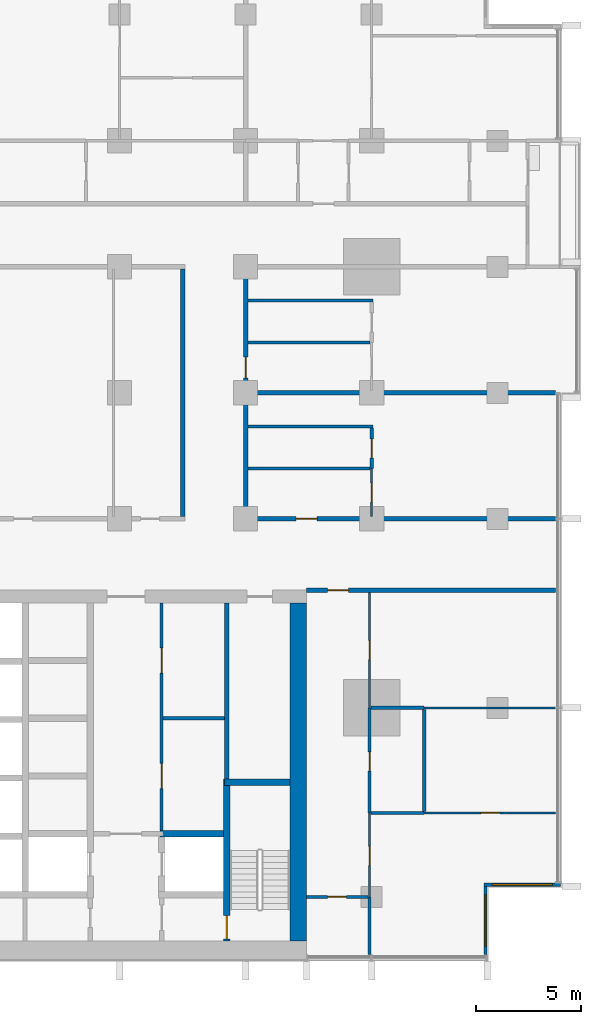
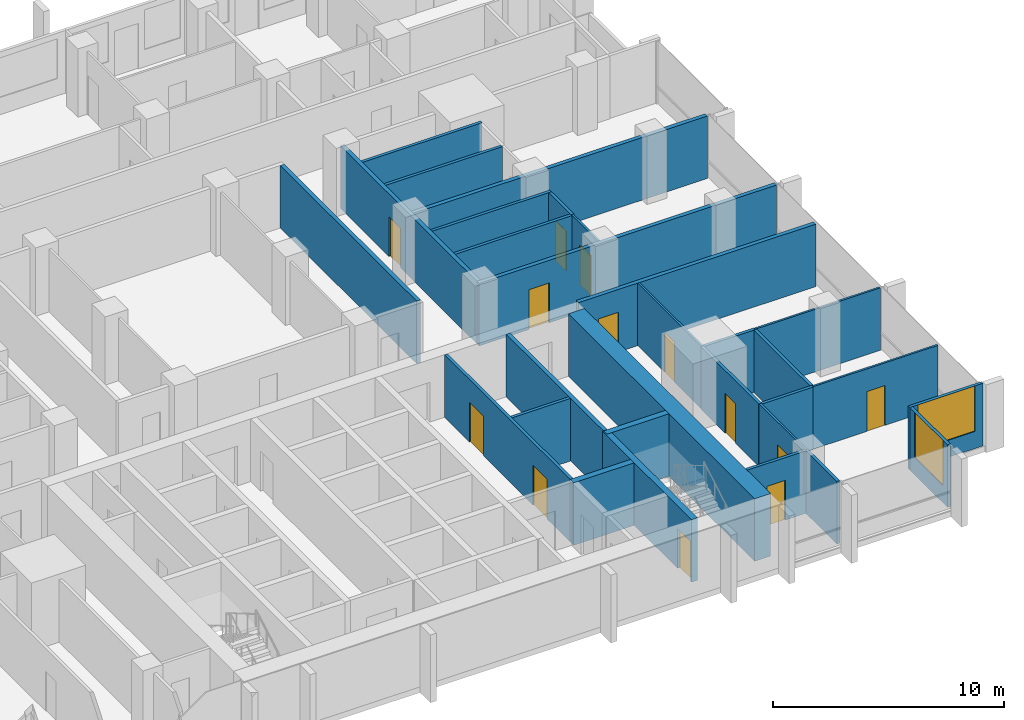
# One storey, part 9 of 17: 30 walls, 13 doors, 2 windows, 15 openings.
"""IFC4 building model written with IfcOpenShell, lengths in metres."""

from ifc_helpers import new_model, si_unit, direction, frame, frame_2d, origin, place, context, subcontext, project, spatial, rectangle, extrude, material, layer, layer_set, type_object, element, fill, save


model = new_model("IFC4")

# Units and contexts
model_context = context("Model", 3, precision=1e-05, world=origin(), true_north=direction((0.0, 1.0)))
body_context = subcontext(model_context, "Body", "Model", "MODEL_VIEW")
ifc_project = project(units=[si_unit("LENGTHUNIT", "METRE"), si_unit("AREAUNIT", "SQUARE_METRE"), si_unit("VOLUMEUNIT", "CUBIC_METRE"), si_unit("PLANEANGLEUNIT", "RADIAN"), si_unit("MASSUNIT", "GRAM", prefix="KILO")], contexts=[model_context])

# Site, building, storey
site_placement = place(None, origin())
site = spatial("IfcSite", under=ifc_project, at=site_placement, CompositionType="ELEMENT")
building_placement = place(site_placement, origin())
building = spatial("IfcBuilding", under=site, at=building_placement, Name="Finial Court Residences", CompositionType="ELEMENT")
storey_placement = place(building_placement, frame((0.0, 0.0, 124.300048828125)))
storey = spatial("IfcBuildingStorey", under=building, at=storey_placement, Name="L31", CompositionType="ELEMENT", Elevation=124.300048828125)

# Walls
ifc_material_1 = material(Name="Gypsum board")
ifc_layer_1 = layer(ifc_material_1, 0.02490234375)
ifc_material_2 = material(Name="Acoustic mineral wool in double frame")
ifc_layer_2 = layer(ifc_material_2, 0.14990234375)
ifc_layer_3 = layer(ifc_material_1, 0.02490234375)
ifc_layer_set_1 = layer_set([ifc_layer_1, ifc_layer_2, ifc_layer_3], Name="Acoustic party wall 200, 1 hour")
wall_type_1 = type_object("IfcWallType", Name="Acoustic party wall 200, 1 hour", PredefinedType="PARTITIONING", material=ifc_layer_set_1)
wall_1_placement = place(storey_placement, frame((10.60009765625, 1.5, 0.0), z_axis=(0.0, 0.0, 1.0), x_axis=(1.0, 0.0, 0.0)))
element("IfcWall", 1, at=wall_1_placement, inside=storey, type_object=wall_type_1, Name="Partition L31-018", PredefinedType="PARTITIONING", context=body_context, shape_type="SweptSolid", body=[
    extrude(rectangle(XDim=14.64990234375, YDim=0.199951171875, at=frame_2d((7.324951171875, 0.0))), origin(), (0.0, 0.0, 1.0), 3.300048828125),
])
ifc_material_3 = material(Name="Concrete C70/85", Category="concrete")
ifc_layer_4 = layer(ifc_material_3, 0.800048828125)
ifc_layer_set_2 = layer_set([ifc_layer_4], Name="Core outer wall 800 Concrete C70/85")
wall_type_2 = type_object("IfcWallType", Name="Core outer wall 800 Concrete C70/85", PredefinedType="SHEAR", material=ifc_layer_set_2)
wall_2_placement = place(storey_placement, frame((13.0, -24.60009765625, 0.0), z_axis=(0.0, 0.0, 1.0), x_axis=(0.0, 1.0, 0.0)))
element("IfcWall", 2, at=wall_2_placement, inside=storey, type_object=wall_type_2, Name="Core outer wall L31-04", PredefinedType="SHEAR", context=body_context, shape_type="SweptSolid", body=[
    extrude(rectangle(XDim=16.10009765625, YDim=0.800048828125, at=frame_2d((8.050048828125, 0.0))), origin(), (0.0, 0.0, 1.0), 3.300048828125),
])
ifc_material_4 = material(Name="Fire-rated gypsum board partition")
ifc_layer_5 = layer(ifc_material_4, 0.14990234375)
ifc_layer_set_3 = layer_set([ifc_layer_5], Name="Core room partition 150 EI 60")
wall_type_3 = type_object("IfcWallType", Name="Core room partition 150 EI 60", PredefinedType="PARTITIONING", material=ifc_layer_set_3)
wall_3_placement = place(storey_placement, frame((6.574951171875, -14.0, 0.0), z_axis=(0.0, 0.0, 1.0), x_axis=(1.0, 0.0, 0.0)))
element("IfcWall", 3, at=wall_3_placement, inside=storey, type_object=wall_type_3, Name="Core partition L31-18", PredefinedType="PARTITIONING", context=body_context, shape_type="SweptSolid", body=[
    extrude(rectangle(XDim=2.925048828125, YDim=0.14990234375, at=frame_2d((1.46240234375, 0.0))), origin(), (0.0, 0.0, 1.0), 3.300048828125),
])

# Wall, openings, doors
wall_4_placement = place(storey_placement, frame((6.5, -8.5, 0.0), z_axis=(0.0, 0.0, 1.0), x_axis=(0.0, -1.0, 0.0)))
wall_4 = element("IfcWall", 4, at=wall_4_placement, inside=storey, type_object=wall_type_3, Name="Core partition L31-36", PredefinedType="PARTITIONING", context=body_context, shape_type="SweptSolid", body=[
    extrude(rectangle(XDim=10.85009765625, YDim=0.14990234375, at=frame_2d((5.425048828125, 0.0))), origin(), (0.0, 0.0, 1.0), 3.300048828125),
])
opening_1_placement = place(wall_4_placement, frame((7.64990234375, 0.0, 0.0)))
opening_1 = element("IfcOpeningElement", 5, at=opening_1_placement, cuts=wall_4, Name="Opening L31-C12", PredefinedType="OPENING", context=body_context, shape_type="SweptSolid", body=[
    extrude(rectangle(XDim=1.199951171875, YDim=2.10009765625, at=frame_2d((0.60009765625, 1.050048828125))), frame((0.0, 0.0849609375, 0.0), z_axis=(0.0, -1.0, 0.0), x_axis=(1.0, 0.0, 0.0)), (0.0, 0.0, 1.0), 0.169921875),
])
opening_2_placement = place(wall_4_placement, frame((2.14990234375, 0.0, 0.0)))
opening_2 = element("IfcOpeningElement", 6, at=opening_2_placement, cuts=wall_4, Name="Opening L31-C13", PredefinedType="OPENING", context=body_context, shape_type="SweptSolid", body=[
    extrude(rectangle(XDim=1.199951171875, YDim=2.10009765625, at=frame_2d((0.60009765625, 1.050048828125))), frame((0.0, 0.0849609375, 0.0), z_axis=(0.0, -1.0, 0.0), x_axis=(1.0, 0.0, 0.0)), (0.0, 0.0, 1.0), 0.169921875),
])
ifc_material_5 = material(Name="Steel fire door", Category="steel")
door_type_1 = type_object("IfcDoorType", Name="Core room door 1200 x 2100 EI 60", OperationType="NOTDEFINED", PredefinedType="DOOR", material=ifc_material_5)
door_1_placement = place(opening_1_placement, origin())
door_1 = element("IfcDoor", 7, at=door_1_placement, inside=storey, type_object=door_type_1, Name="Core room door L31-C12", OperationType="SINGLE_SWING_RIGHT", OverallHeight=2.10009765625, OverallWidth=1.199951171875, PredefinedType="DOOR", context=body_context, shape_type="SweptSolid", body=[
    extrude(rectangle(XDim=1.199951171875, YDim=2.10009765625, at=frame_2d((0.60009765625, 1.050048828125))), frame((0.0, 0.02490234375, 0.0), z_axis=(0.0, -1.0, 0.0), x_axis=(1.0, 0.0, 0.0)), (0.0, 0.0, 1.0), 0.050048828125),
])
fill(opening_1, door_1)
door_2_placement = place(opening_2_placement, origin())
door_2 = element("IfcDoor", 8, at=door_2_placement, inside=storey, type_object=door_type_1, Name="Core room door L31-C13", OperationType="SINGLE_SWING_RIGHT", OverallHeight=2.10009765625, OverallWidth=1.199951171875, PredefinedType="DOOR", context=body_context, shape_type="SweptSolid", body=[
    extrude(rectangle(XDim=1.199951171875, YDim=2.10009765625, at=frame_2d((0.60009765625, 1.050048828125))), frame((0.0, 0.02490234375, 0.0), z_axis=(0.0, -1.0, 0.0), x_axis=(1.0, 0.0, 0.0)), (0.0, 0.0, 1.0), 0.050048828125),
])
fill(opening_2, door_2)

# Wall, opening, door
ifc_layer_6 = layer(ifc_material_1, 0.02490234375)
ifc_layer_7 = layer(ifc_material_2, 0.14990234375)
ifc_layer_8 = layer(ifc_material_1, 0.02490234375)
ifc_layer_set_4 = layer_set([ifc_layer_6, ifc_layer_7, ifc_layer_8], Name="Corridor wall 200, 1 hour")
wall_type_4 = type_object("IfcWallType", Name="Corridor wall 200, 1 hour", PredefinedType="PARTITIONING", material=ifc_layer_set_4)
wall_5_placement = place(storey_placement, frame((13.39990234375, -7.89990234375, 0.0), z_axis=(0.0, 0.0, 1.0), x_axis=(1.0, 0.0, 0.0)))
wall_5 = element("IfcWall", 9, at=wall_5_placement, inside=storey, type_object=wall_type_4, Name="Partition L31-009", PredefinedType="PARTITIONING", context=body_context, shape_type="SweptSolid", body=[
    extrude(rectangle(XDim=11.85009765625, YDim=0.199951171875, at=frame_2d((5.925048828125, 0.0))), origin(), (0.0, 0.0, 1.0), 3.300048828125),
])
opening_3_placement = place(wall_5_placement, frame((1.0, 0.0, 0.0)))
opening_3 = element("IfcOpeningElement", 10, at=opening_3_placement, cuts=wall_5, Name="Opening L31-D006", PredefinedType="OPENING", context=body_context, shape_type="SweptSolid", body=[
    extrude(rectangle(XDim=1.0, YDim=2.10009765625, at=frame_2d((0.5, 1.050048828125))), frame((0.0, 0.10986328125, 0.0), z_axis=(0.0, -1.0, 0.0), x_axis=(1.0, 0.0, 0.0)), (0.0, 0.0, 1.0), 0.219970703125),
])
ifc_material_6 = material(Name="Timber door leaf in hollow metal frame", Category="wood")
door_type_2 = type_object("IfcDoorType", Name="Fire door set 1000 x 2100, 30 minutes", OperationType="SINGLE_SWING_LEFT", PredefinedType="DOOR", material=ifc_material_6)
door_3_placement = place(opening_3_placement, origin())
door_3 = element("IfcDoor", 11, at=door_3_placement, inside=storey, type_object=door_type_2, Name="Door L31-D006", OperationType="SINGLE_SWING_LEFT", OverallHeight=2.10009765625, OverallWidth=1.0, PredefinedType="DOOR", context=body_context, shape_type="SweptSolid", body=[
    extrude(rectangle(XDim=1.0, YDim=2.10009765625, at=frame_2d((0.5, 1.050048828125))), frame((0.0, 0.02490234375, 0.0), z_axis=(0.0, -1.0, 0.0), x_axis=(1.0, 0.0, 0.0)), (0.0, 0.0, 1.0), 0.050048828125),
])
fill(opening_3, door_3)

wall_6_placement = place(storey_placement, frame((10.39990234375, -4.5, 0.0), z_axis=(0.0, 0.0, 1.0), x_axis=(1.0, 0.0, 0.0)))
wall_6 = element("IfcWall", 12, at=wall_6_placement, inside=storey, type_object=wall_type_4, Name="Partition L31-012", PredefinedType="PARTITIONING", context=body_context, shape_type="SweptSolid", body=[
    extrude(rectangle(XDim=14.85009765625, YDim=0.199951171875, at=frame_2d((7.425048828125, 0.0))), origin(), (0.0, 0.0, 1.0), 3.300048828125),
])
opening_4_placement = place(wall_6_placement, frame((2.5, 0.0, 0.0)))
opening_4 = element("IfcOpeningElement", 13, at=opening_4_placement, cuts=wall_6, Name="Opening L31-D011", PredefinedType="OPENING", context=body_context, shape_type="SweptSolid", body=[
    extrude(rectangle(XDim=1.0, YDim=2.10009765625, at=frame_2d((0.5, 1.050048828125))), frame((0.0, 0.10986328125, 0.0), z_axis=(0.0, -1.0, 0.0), x_axis=(1.0, 0.0, 0.0)), (0.0, 0.0, 1.0), 0.219970703125),
])
door_4_placement = place(opening_4_placement, origin())
door_4 = element("IfcDoor", 14, at=door_4_placement, inside=storey, type_object=door_type_2, Name="Door L31-D011", OperationType="SINGLE_SWING_RIGHT", OverallHeight=2.10009765625, OverallWidth=1.0, PredefinedType="DOOR", context=body_context, shape_type="SweptSolid", body=[
    extrude(rectangle(XDim=1.0, YDim=2.10009765625, at=frame_2d((0.5, 1.050048828125))), frame((0.0, 0.02490234375, 0.0), z_axis=(0.0, -1.0, 0.0), x_axis=(1.0, 0.0, 0.0)), (0.0, 0.0, 1.0), 0.050048828125),
])
fill(opening_4, door_4)

# Wall
wall_7_placement = place(storey_placement, frame((7.5, -4.39990234375, 0.0), z_axis=(0.0, 0.0, 1.0), x_axis=(0.0, 1.0, 0.0)))
element("IfcWall", 15, at=wall_7_placement, inside=storey, type_object=wall_type_4, Name="Partition L31-066", PredefinedType="PARTITIONING", context=body_context, shape_type="SweptSolid", body=[
    extrude(rectangle(XDim=11.7998046875, YDim=0.199951171875, at=frame_2d((5.89990234375, 0.0))), origin(), (0.0, 0.0, 1.0), 3.300048828125),
])

# Wall, opening, door
wall_8_placement = place(storey_placement, frame((10.5, -4.39990234375, 0.0), z_axis=(0.0, 0.0, 1.0), x_axis=(0.0, 1.0, 0.0)))
wall_8 = element("IfcWall", 16, at=wall_8_placement, inside=storey, type_object=wall_type_4, Name="Partition L31-067", PredefinedType="PARTITIONING", context=body_context, shape_type="SweptSolid", body=[
    extrude(rectangle(XDim=11.7998046875, YDim=0.199951171875, at=frame_2d((5.89990234375, 0.0))), origin(), (0.0, 0.0, 1.0), 3.300048828125),
])
opening_5_placement = place(wall_8_placement, frame((6.60009765625, 0.0, 0.0)))
opening_5 = element("IfcOpeningElement", 17, at=opening_5_placement, cuts=wall_8, Name="Opening L31-D038", PredefinedType="OPENING", context=body_context, shape_type="SweptSolid", body=[
    extrude(rectangle(XDim=1.0, YDim=2.10009765625, at=frame_2d((0.5, 1.050048828125))), frame((0.0, 0.10986328125, 0.0), z_axis=(0.0, -1.0, 0.0), x_axis=(1.0, 0.0, 0.0)), (0.0, 0.0, 1.0), 0.219970703125),
])
door_5_placement = place(opening_5_placement, origin())
door_5 = element("IfcDoor", 18, at=door_5_placement, inside=storey, type_object=door_type_2, Name="Door L31-D038", OperationType="SINGLE_SWING_RIGHT", OverallHeight=2.10009765625, OverallWidth=1.0, PredefinedType="DOOR", context=body_context, shape_type="SweptSolid", body=[
    extrude(rectangle(XDim=1.0, YDim=2.10009765625, at=frame_2d((0.5, 1.050048828125))), frame((0.0, 0.02490234375, 0.0), z_axis=(0.0, -1.0, 0.0), x_axis=(1.0, 0.0, 0.0)), (0.0, 0.0, 1.0), 0.050048828125),
])
fill(opening_5, door_5)

ifc_layer_9 = layer(ifc_material_1, 0.012451171875)
ifc_material_7 = material(Name="Mineral wool in light-gauge frame")
ifc_layer_10 = layer(ifc_material_7, 0.074951171875)
ifc_layer_11 = layer(ifc_material_1, 0.012451171875)
ifc_layer_set_5 = layer_set([ifc_layer_9, ifc_layer_10, ifc_layer_11], Name="Gypsum board partition 100")
wall_type_5 = type_object("IfcWallType", Name="Gypsum board partition 100", PredefinedType="PARTITIONING", material=ifc_layer_set_5)
wall_9_placement = place(storey_placement, frame((19.0, -18.5, 0.0), z_axis=(0.0, 0.0, 1.0), x_axis=(1.0, 0.0, 0.0)))
wall_9 = element("IfcWall", 19, at=wall_9_placement, inside=storey, type_object=wall_type_5, Name="Partition L31-002", PredefinedType="PARTITIONING", context=body_context, shape_type="SweptSolid", body=[
    extrude(rectangle(XDim=6.25, YDim=0.10009765625, at=frame_2d((3.125, 0.0))), origin(), (0.0, 0.0, 1.0), 3.300048828125),
])
opening_6_placement = place(wall_9_placement, frame((2.699951171875, 0.0, 0.0)))
opening_6 = element("IfcOpeningElement", 20, at=opening_6_placement, cuts=wall_9, Name="Opening L31-D003", PredefinedType="OPENING", context=body_context, shape_type="SweptSolid", body=[
    extrude(rectangle(XDim=0.89990234375, YDim=2.10009765625, at=frame_2d((0.449951171875, 1.050048828125))), frame((0.0, 0.06005859375, 0.0), z_axis=(0.0, -1.0, 0.0), x_axis=(1.0, 0.0, 0.0)), (0.0, 0.0, 1.0), 0.1201171875),
])
ifc_material_8 = material(Name="Timber door leaf in timber frame", Category="wood")
door_type_3 = type_object("IfcDoorType", Name="Door set 900 x 2100", OperationType="SINGLE_SWING_LEFT", PredefinedType="DOOR", material=ifc_material_8)
door_6_placement = place(opening_6_placement, origin())
door_6 = element("IfcDoor", 21, at=door_6_placement, inside=storey, type_object=door_type_3, Name="Door L31-D003", OperationType="SINGLE_SWING_RIGHT", OverallHeight=2.10009765625, OverallWidth=0.89990234375, PredefinedType="DOOR", context=body_context, shape_type="SweptSolid", body=[
    extrude(rectangle(XDim=0.89990234375, YDim=2.10009765625, at=frame_2d((0.449951171875, 1.050048828125))), frame((0.0, 0.02490234375, 0.0), z_axis=(0.0, -1.0, 0.0), x_axis=(1.0, 0.0, 0.0)), (0.0, 0.0, 1.0), 0.050048828125),
])
fill(opening_6, door_6)

# Wall
wall_10_placement = place(storey_placement, frame((19.0, -13.5, 0.0), z_axis=(0.0, 0.0, 1.0), x_axis=(1.0, 0.0, 0.0)))
element("IfcWall", 22, at=wall_10_placement, inside=storey, type_object=wall_type_5, Name="Partition L31-005", PredefinedType="PARTITIONING", context=body_context, shape_type="SweptSolid", body=[
    extrude(rectangle(XDim=6.25, YDim=0.10009765625, at=frame_2d((3.125, 0.0))), origin(), (0.0, 0.0, 1.0), 3.300048828125),
])

# Wall, opening, door
wall_11_placement = place(storey_placement, frame((16.39990234375, -22.5, 0.0), z_axis=(0.0, 0.0, 1.0), x_axis=(0.0, 1.0, 0.0)))
wall_11 = element("IfcWall", 23, at=wall_11_placement, inside=storey, type_object=wall_type_5, Name="Partition L31-072", PredefinedType="PARTITIONING", context=body_context, shape_type="SweptSolid", body=[
    extrude(rectangle(XDim=4.0, YDim=0.10009765625, at=frame_2d((2.0, 0.0))), origin(), (0.0, 0.0, 1.0), 3.300048828125),
])
opening_7_placement = place(wall_11_placement, frame((1.5, 0.0, 0.0)))
opening_7 = element("IfcOpeningElement", 24, at=opening_7_placement, cuts=wall_11, Name="Opening L31-D041", PredefinedType="OPENING", context=body_context, shape_type="SweptSolid", body=[
    extrude(rectangle(XDim=0.89990234375, YDim=2.10009765625, at=frame_2d((0.449951171875, 1.050048828125))), frame((0.0, 0.06005859375, 0.0), z_axis=(0.0, -1.0, 0.0), x_axis=(1.0, 0.0, 0.0)), (0.0, 0.0, 1.0), 0.1201171875),
])
door_7_placement = place(opening_7_placement, origin())
door_7 = element("IfcDoor", 25, at=door_7_placement, inside=storey, type_object=door_type_3, Name="Door L31-D041", OperationType="SINGLE_SWING_LEFT", OverallHeight=2.10009765625, OverallWidth=0.89990234375, PredefinedType="DOOR", context=body_context, shape_type="SweptSolid", body=[
    extrude(rectangle(XDim=0.89990234375, YDim=2.10009765625, at=frame_2d((0.449951171875, 1.050048828125))), frame((0.0, 0.02490234375, 0.0), z_axis=(0.0, -1.0, 0.0), x_axis=(1.0, 0.0, 0.0)), (0.0, 0.0, 1.0), 0.050048828125),
])
fill(opening_7, door_7)

wall_12_placement = place(storey_placement, frame((16.39990234375, -13.5, 0.0), z_axis=(0.0, 0.0, 1.0), x_axis=(0.0, 1.0, 0.0)))
wall_12 = element("IfcWall", 26, at=wall_12_placement, inside=storey, type_object=wall_type_5, Name="Partition L31-073", PredefinedType="PARTITIONING", context=body_context, shape_type="SweptSolid", body=[
    extrude(rectangle(XDim=5.5, YDim=0.10009765625, at=frame_2d((2.75, 0.0))), origin(), (0.0, 0.0, 1.0), 3.300048828125),
])
opening_8_placement = place(wall_12_placement, frame((2.300048828125, 0.0, 0.0)))
opening_8 = element("IfcOpeningElement", 27, at=opening_8_placement, cuts=wall_12, Name="Opening L31-D042", PredefinedType="OPENING", context=body_context, shape_type="SweptSolid", body=[
    extrude(rectangle(XDim=0.89990234375, YDim=2.10009765625, at=frame_2d((0.449951171875, 1.050048828125))), frame((0.0, 0.06005859375, 0.0), z_axis=(0.0, -1.0, 0.0), x_axis=(1.0, 0.0, 0.0)), (0.0, 0.0, 1.0), 0.1201171875),
])
door_8_placement = place(opening_8_placement, origin())
door_8 = element("IfcDoor", 28, at=door_8_placement, inside=storey, type_object=door_type_3, Name="Door L31-D042", OperationType="SINGLE_SWING_RIGHT", OverallHeight=2.10009765625, OverallWidth=0.89990234375, PredefinedType="DOOR", context=body_context, shape_type="SweptSolid", body=[
    extrude(rectangle(XDim=0.89990234375, YDim=2.10009765625, at=frame_2d((0.449951171875, 1.050048828125))), frame((0.0, 0.02490234375, 0.0), z_axis=(0.0, -1.0, 0.0), x_axis=(1.0, 0.0, 0.0)), (0.0, 0.0, 1.0), 0.050048828125),
])
fill(opening_8, door_8)

wall_13_placement = place(storey_placement, frame((16.5, -4.39990234375, 0.0), z_axis=(0.0, 0.0, 1.0), x_axis=(0.0, 1.0, 0.0)))
wall_13 = element("IfcWall", 29, at=wall_13_placement, inside=storey, type_object=wall_type_5, Name="Partition L31-076", PredefinedType="PARTITIONING", context=body_context, shape_type="SweptSolid", body=[
    extrude(rectangle(XDim=2.2998046875, YDim=0.10009765625, at=frame_2d((1.14990234375, 0.0))), origin(), (0.0, 0.0, 1.0), 3.300048828125),
])
opening_9_placement = place(wall_13_placement, frame((0.699951171875, 0.0, 0.0)))
opening_9 = element("IfcOpeningElement", 30, at=opening_9_placement, cuts=wall_13, Name="Opening L31-D044", PredefinedType="OPENING", context=body_context, shape_type="SweptSolid", body=[
    extrude(rectangle(XDim=0.89990234375, YDim=2.10009765625, at=frame_2d((0.449951171875, 1.050048828125))), frame((0.0, 0.06005859375, 0.0), z_axis=(0.0, -1.0, 0.0), x_axis=(1.0, 0.0, 0.0)), (0.0, 0.0, 1.0), 0.1201171875),
])
door_9_placement = place(opening_9_placement, origin())
door_9 = element("IfcDoor", 31, at=door_9_placement, inside=storey, type_object=door_type_3, Name="Door L31-D044", OperationType="SINGLE_SWING_LEFT", OverallHeight=2.10009765625, OverallWidth=0.89990234375, PredefinedType="DOOR", context=body_context, shape_type="SweptSolid", body=[
    extrude(rectangle(XDim=0.89990234375, YDim=2.10009765625, at=frame_2d((0.449951171875, 1.050048828125))), frame((0.0, 0.02490234375, 0.0), z_axis=(0.0, -1.0, 0.0), x_axis=(1.0, 0.0, 0.0)), (0.0, 0.0, 1.0), 0.050048828125),
])
fill(opening_9, door_9)

ifc_material_9 = material(Name="Moisture-resistant gypsum board")
ifc_layer_12 = layer(ifc_material_9, 0.012451171875)
ifc_layer_13 = layer(ifc_material_7, 0.125)
ifc_layer_14 = layer(ifc_material_9, 0.012451171875)
ifc_layer_set_6 = layer_set([ifc_layer_12, ifc_layer_13, ifc_layer_14], Name="Gypsum board wet-area partition 150")
wall_type_6 = type_object("IfcWallType", Name="Gypsum board wet-area partition 150", PredefinedType="PARTITIONING", material=ifc_layer_set_6)
wall_14_placement = place(storey_placement, frame((13.39990234375, -22.5, 0.0), z_axis=(0.0, 0.0, 1.0), x_axis=(1.0, 0.0, 0.0)))
wall_14 = element("IfcWall", 32, at=wall_14_placement, inside=storey, type_object=wall_type_6, Name="Partition L31-001", PredefinedType="PARTITIONING", context=body_context, shape_type="SweptSolid", body=[
    extrude(rectangle(XDim=2.925048828125, YDim=0.14990234375, at=frame_2d((1.46240234375, 0.0))), origin(), (0.0, 0.0, 1.0), 3.300048828125),
])
opening_10_placement = place(wall_14_placement, frame((1.0, 0.0, 0.0)))
opening_10 = element("IfcOpeningElement", 33, at=opening_10_placement, cuts=wall_14, Name="Opening L31-D002", PredefinedType="OPENING", context=body_context, shape_type="SweptSolid", body=[
    extrude(rectangle(XDim=0.89990234375, YDim=2.10009765625, at=frame_2d((0.449951171875, 1.050048828125))), frame((0.0, 0.0849609375, 0.0), z_axis=(0.0, -1.0, 0.0), x_axis=(1.0, 0.0, 0.0)), (0.0, 0.0, 1.0), 0.169921875),
])
door_10_placement = place(opening_10_placement, origin())
door_10 = element("IfcDoor", 34, at=door_10_placement, inside=storey, type_object=door_type_3, Name="Door L31-D002", OperationType="SINGLE_SWING_RIGHT", OverallHeight=2.10009765625, OverallWidth=0.89990234375, PredefinedType="DOOR", context=body_context, shape_type="SweptSolid", body=[
    extrude(rectangle(XDim=0.89990234375, YDim=2.10009765625, at=frame_2d((0.449951171875, 1.050048828125))), frame((0.0, 0.02490234375, 0.0), z_axis=(0.0, -1.0, 0.0), x_axis=(1.0, 0.0, 0.0)), (0.0, 0.0, 1.0), 0.050048828125),
])
fill(opening_10, door_10)

# Walls
for number, where, z_axis, x_axis, name in (
    (35, (16.47509765625, -18.5, 0.0), (0.0, 0.0, 1.0), (1.0, 0.0, 0.0), "Partition L31-003"),
    (36, (16.47509765625, -13.5, 0.0), (0.0, 0.0, 1.0), (1.0, 0.0, 0.0), "Partition L31-007"),
):
    element("IfcWall", number, at=place(storey_placement, frame(where, z_axis=z_axis, x_axis=x_axis)), inside=storey, type_object=wall_type_6, Name=name, PredefinedType="PARTITIONING", context=body_context, shape_type="SweptSolid", body=[
        extrude(rectangle(XDim=2.52490234375, YDim=0.14990234375, at=frame_2d((1.262451171875, 0.0))), origin(), (0.0, 0.0, 1.0), 3.300048828125),
    ])
wall_15_placement = place(storey_placement, frame((10.60009765625, -2.10009765625, 0.0), z_axis=(0.0, 0.0, 1.0), x_axis=(1.0, 0.0, 0.0)))
element("IfcWall", 37, at=wall_15_placement, inside=storey, type_object=wall_type_6, Name="Partition L31-014", PredefinedType="PARTITIONING", context=body_context, shape_type="SweptSolid", body=[
    extrude(rectangle(XDim=5.824951171875, YDim=0.14990234375, at=frame_2d((2.91259765625, 0.0))), origin(), (0.0, 0.0, 1.0), 3.300048828125),
])
wall_16_placement = place(storey_placement, frame((10.60009765625, -0.10009765625, 0.0), z_axis=(0.0, 0.0, 1.0), x_axis=(1.0, 0.0, 0.0)))
element("IfcWall", 38, at=wall_16_placement, inside=storey, type_object=wall_type_6, Name="Partition L31-016", PredefinedType="PARTITIONING", context=body_context, shape_type="SweptSolid", body=[
    extrude(rectangle(XDim=5.974853515625, YDim=0.14990234375, at=frame_2d((2.9873046875, 0.0))), origin(), (0.0, 0.0, 1.0), 3.300048828125),
])
wall_17_placement = place(storey_placement, frame((10.60009765625, 3.89990234375, 0.0), z_axis=(0.0, 0.0, 1.0), x_axis=(1.0, 0.0, 0.0)))
element("IfcWall", 39, at=wall_17_placement, inside=storey, type_object=wall_type_6, Name="Partition L31-020", PredefinedType="PARTITIONING", context=body_context, shape_type="SweptSolid", body=[
    extrude(rectangle(XDim=5.824951171875, YDim=0.14990234375, at=frame_2d((2.91259765625, 0.0))), origin(), (0.0, 0.0, 1.0), 3.300048828125),
])
wall_18_placement = place(storey_placement, frame((10.60009765625, 5.89990234375, 0.0), z_axis=(0.0, 0.0, 1.0), x_axis=(1.0, 0.0, 0.0)))
element("IfcWall", 40, at=wall_18_placement, inside=storey, type_object=wall_type_6, Name="Partition L31-022", PredefinedType="PARTITIONING", context=body_context, shape_type="SweptSolid", body=[
    extrude(rectangle(XDim=5.974853515625, YDim=0.14990234375, at=frame_2d((2.9873046875, 0.0))), origin(), (0.0, 0.0, 1.0), 3.300048828125),
])
wall_19_placement = place(storey_placement, frame((16.39990234375, -25.25, 0.0), z_axis=(0.0, 0.0, 1.0), x_axis=(0.0, 1.0, 0.0)))
element("IfcWall", 41, at=wall_19_placement, inside=storey, type_object=wall_type_6, Name="Partition L31-074", PredefinedType="PARTITIONING", context=body_context, shape_type="SweptSolid", body=[
    extrude(rectangle(XDim=2.75, YDim=0.14990234375, at=frame_2d((1.375, 0.0))), origin(), (0.0, 0.0, 1.0), 3.300048828125),
])

# Wall, opening, door
wall_20_placement = place(storey_placement, frame((16.39990234375, -18.5, 0.0), z_axis=(0.0, 0.0, 1.0), x_axis=(0.0, 1.0, 0.0)))
wall_20 = element("IfcWall", 42, at=wall_20_placement, inside=storey, type_object=wall_type_6, Name="Partition L31-075", PredefinedType="PARTITIONING", context=body_context, shape_type="SweptSolid", body=[
    extrude(rectangle(XDim=5.0, YDim=0.14990234375, at=frame_2d((2.5, 0.0))), origin(), (0.0, 0.0, 1.0), 3.300048828125),
])
opening_11_placement = place(wall_20_placement, frame((2.0, 0.0, 0.0)))
opening_11 = element("IfcOpeningElement", 43, at=opening_11_placement, cuts=wall_20, Name="Opening L31-D043", PredefinedType="OPENING", context=body_context, shape_type="SweptSolid", body=[
    extrude(rectangle(XDim=0.89990234375, YDim=2.10009765625, at=frame_2d((0.449951171875, 1.050048828125))), frame((0.0, 0.0849609375, 0.0), z_axis=(0.0, -1.0, 0.0), x_axis=(1.0, 0.0, 0.0)), (0.0, 0.0, 1.0), 0.169921875),
])
door_11_placement = place(opening_11_placement, origin())
door_11 = element("IfcDoor", 44, at=door_11_placement, inside=storey, type_object=door_type_3, Name="Door L31-D043", OperationType="SINGLE_SWING_LEFT", OverallHeight=2.10009765625, OverallWidth=0.89990234375, PredefinedType="DOOR", context=body_context, shape_type="SweptSolid", body=[
    extrude(rectangle(XDim=0.89990234375, YDim=2.10009765625, at=frame_2d((0.449951171875, 1.050048828125))), frame((0.0, 0.02490234375, 0.0), z_axis=(0.0, -1.0, 0.0), x_axis=(1.0, 0.0, 0.0)), (0.0, 0.0, 1.0), 0.050048828125),
])
fill(opening_11, door_11)

wall_21_placement = place(storey_placement, frame((16.5, -2.10009765625, 0.0), z_axis=(0.0, 0.0, 1.0), x_axis=(0.0, 1.0, 0.0)))
wall_21 = element("IfcWall", 45, at=wall_21_placement, inside=storey, type_object=wall_type_6, Name="Partition L31-079", PredefinedType="PARTITIONING", context=body_context, shape_type="SweptSolid", body=[
    extrude(rectangle(XDim=1.925048828125, YDim=0.14990234375, at=frame_2d((0.96240234375, 0.0))), origin(), (0.0, 0.0, 1.0), 3.300048828125),
])
opening_12_placement = place(wall_21_placement, frame((0.5, 0.0, 0.0)))
opening_12 = element("IfcOpeningElement", 46, at=opening_12_placement, cuts=wall_21, Name="Opening L31-D047", PredefinedType="OPENING", context=body_context, shape_type="SweptSolid", body=[
    extrude(rectangle(XDim=0.89990234375, YDim=2.10009765625, at=frame_2d((0.449951171875, 1.050048828125))), frame((0.0, 0.0849609375, 0.0), z_axis=(0.0, -1.0, 0.0), x_axis=(1.0, 0.0, 0.0)), (0.0, 0.0, 1.0), 0.169921875),
])
door_12_placement = place(opening_12_placement, origin())
door_12 = element("IfcDoor", 47, at=door_12_placement, inside=storey, type_object=door_type_3, Name="Door L31-D047", OperationType="SINGLE_SWING_RIGHT", OverallHeight=2.10009765625, OverallWidth=0.89990234375, PredefinedType="DOOR", context=body_context, shape_type="SweptSolid", body=[
    extrude(rectangle(XDim=0.89990234375, YDim=2.10009765625, at=frame_2d((0.449951171875, 1.050048828125))), frame((0.0, 0.02490234375, 0.0), z_axis=(0.0, -1.0, 0.0), x_axis=(1.0, 0.0, 0.0)), (0.0, 0.0, 1.0), 0.050048828125),
])
fill(opening_12, door_12)

# Walls
wall_22_placement = place(storey_placement, frame((19.0, -18.425048828125, 0.0), z_axis=(0.0, 0.0, 1.0), x_axis=(0.0, 1.0, 0.0)))
element("IfcWall", 48, at=wall_22_placement, inside=storey, type_object=wall_type_6, Name="Partition L31-081", PredefinedType="PARTITIONING", context=body_context, shape_type="SweptSolid", body=[
    extrude(rectangle(XDim=4.85009765625, YDim=0.14990234375, at=frame_2d((2.425048828125, 0.0))), origin(), (0.0, 0.0, 1.0), 3.300048828125),
])
ifc_layer_15 = layer(ifc_material_3, 0.300048828125)
ifc_layer_set_7 = layer_set([ifc_layer_15], Name="Lift shaft and stair wall 300 Concrete C70/85")
wall_type_7 = type_object("IfcWallType", Name="Lift shaft and stair wall 300 Concrete C70/85", PredefinedType="SHEAR", material=ifc_layer_set_7)
wall_23_placement = place(storey_placement, frame((6.425048828125, -19.5, 0.0), z_axis=(0.0, 0.0, 1.0), x_axis=(1.0, 0.0, 0.0)))
element("IfcWall", 49, at=wall_23_placement, inside=storey, type_object=wall_type_7, Name="Core wall L31-09", PredefinedType="SHEAR", context=body_context, shape_type="SweptSolid", body=[
    extrude(rectangle(XDim=3.02490234375, YDim=0.300048828125, at=frame_2d((1.512451171875, 0.0))), origin(), (0.0, 0.0, 1.0), 3.300048828125),
])
wall_24_placement = place(storey_placement, frame((9.5, -17.050048828125, 0.0), z_axis=(0.0, 0.0, 1.0), x_axis=(1.0, 0.0, 0.0)))
element("IfcWall", 50, at=wall_24_placement, inside=storey, type_object=wall_type_7, Name="Core wall L31-11", PredefinedType="SHEAR", context=body_context, shape_type="SweptSolid", body=[
    extrude(rectangle(XDim=3.10009765625, YDim=0.300048828125, at=frame_2d((1.550048828125, 0.0))), origin(), (0.0, 0.0, 1.0), 3.300048828125),
])

# Wall, opening, door
wall_25_placement = place(storey_placement, frame((9.60009765625, -16.89990234375, 0.0), z_axis=(0.0, 0.0, 1.0), x_axis=(0.0, -1.0, 0.0)))
wall_25 = element("IfcWall", 51, at=wall_25_placement, inside=storey, type_object=wall_type_7, Name="Core wall L31-37", PredefinedType="SHEAR", context=body_context, shape_type="SweptSolid", body=[
    extrude(rectangle(XDim=7.7001953125, YDim=0.300048828125, at=frame_2d((3.85009765625, 0.0))), origin(), (0.0, 0.0, 1.0), 3.300048828125),
])
opening_13_placement = place(wall_25_placement, frame((6.5, 0.0, 0.0)))
opening_13 = element("IfcOpeningElement", 52, at=opening_13_placement, cuts=wall_25, Name="Opening L31-C15", PredefinedType="OPENING", context=body_context, shape_type="SweptSolid", body=[
    extrude(rectangle(XDim=1.10009765625, YDim=2.10009765625, at=frame_2d((0.550048828125, 1.050048828125))), frame((0.0, 0.159912109375, 0.0), z_axis=(0.0, -1.0, 0.0), x_axis=(1.0, 0.0, 0.0)), (0.0, 0.0, 1.0), 0.320068359375),
])
door_type_4 = type_object("IfcDoorType", Name="Stair door 1100 x 2100 EI 90", OperationType="NOTDEFINED", PredefinedType="DOOR", material=ifc_material_5)
door_13_placement = place(opening_13_placement, origin())
door_13 = element("IfcDoor", 53, at=door_13_placement, inside=storey, type_object=door_type_4, Name="Stair door L31-C15", OperationType="SINGLE_SWING_RIGHT", OverallHeight=2.10009765625, OverallWidth=1.10009765625, PredefinedType="DOOR", context=body_context, shape_type="SweptSolid", body=[
    extrude(rectangle(XDim=1.10009765625, YDim=2.10009765625, at=frame_2d((0.550048828125, 1.050048828125))), frame((0.0, 0.02490234375, 0.0), z_axis=(0.0, -1.0, 0.0), x_axis=(1.0, 0.0, 0.0)), (0.0, 0.0, 1.0), 0.050048828125),
])
fill(opening_13, door_13)

# Wall, opening, window
ifc_material_10 = material(Name="Natural limestone", Category="masonry")
ifc_layer_16 = layer(ifc_material_10, 0.14990234375)
ifc_layer_set_8 = layer_set([ifc_layer_16], Name="Limestone clad wall 150")
wall_type_8 = type_object("IfcWallType", Name="Limestone clad wall 150", PredefinedType="SOLIDWALL", material=ifc_layer_set_8)
wall_26_placement = place(storey_placement, frame((21.925048828125, -22.0, 0.0), z_axis=(0.0, 0.0, 1.0), x_axis=(0.0, -1.0, 0.0)))
wall_26 = element("IfcWall", 54, at=wall_26_placement, inside=storey, type_object=wall_type_8, Name="E-L31-NWE14", PredefinedType="SOLIDWALL", context=body_context, shape_type="SweptSolid", body=[
    extrude(rectangle(XDim=3.25, YDim=0.14990234375, at=frame_2d((1.625, 0.0))), origin(), (0.0, 0.0, 1.0), 3.300048828125),
])
opening_14_placement = place(wall_26_placement, frame((0.39990234375, 0.0, 0.89990234375)))
opening_14 = element("IfcOpeningElement", 55, at=opening_14_placement, cuts=wall_26, Name="Opening WE31-03", PredefinedType="OPENING", context=body_context, shape_type="SweptSolid", body=[
    extrude(rectangle(XDim=2.449951171875, YDim=2.39990234375, at=frame_2d((1.22509765625, 1.199951171875))), frame((0.0, 0.0849609375, 0.0), z_axis=(0.0, -1.0, 0.0), x_axis=(1.0, 0.0, 0.0)), (0.0, 0.0, 1.0), 0.169921875),
])
ifc_material_11 = material(Name="Clear low-e glass", Category="glass")
window_type_1 = type_object("IfcWindowType", Name="Corner window 2450 x 2400", PartitioningType="SINGLE_PANEL", PredefinedType="WINDOW", material=ifc_material_11)
window_1_placement = place(opening_14_placement, origin())
window_1 = element("IfcWindow", 56, at=window_1_placement, inside=storey, type_object=window_type_1, Name="E-L31-NWE14-W1", OverallHeight=2.39990234375, OverallWidth=2.449951171875, PartitioningType="SINGLE_PANEL", PredefinedType="WINDOW", context=body_context, shape_type="SweptSolid", body=[
    extrude(rectangle(XDim=2.449951171875, YDim=2.39990234375, at=frame_2d((1.22509765625, 1.199951171875))), frame((0.0, 0.030029296875, 0.0), z_axis=(0.0, -1.0, 0.0), x_axis=(1.0, 0.0, 0.0)), (0.0, 0.0, 1.0), 0.06005859375),
])
fill(opening_14, window_1)

wall_27_placement = place(storey_placement, frame((25.5, -21.925048828125, 0.0), z_axis=(0.0, 0.0, 1.0), x_axis=(-1.0, 0.0, 0.0)))
wall_27 = element("IfcWall", 57, at=wall_27_placement, inside=storey, type_object=wall_type_8, Name="E-L31-NWS15", PredefinedType="SOLIDWALL", context=body_context, shape_type="SweptSolid", body=[
    extrude(rectangle(XDim=3.64990234375, YDim=0.14990234375, at=frame_2d((1.824951171875, 0.0))), origin(), (0.0, 0.0, 1.0), 3.300048828125),
])
opening_15_placement = place(wall_27_placement, frame((0.39990234375, 0.0, 0.89990234375)))
opening_15 = element("IfcOpeningElement", 58, at=opening_15_placement, cuts=wall_27, Name="Opening WE31-04", PredefinedType="OPENING", context=body_context, shape_type="SweptSolid", body=[
    extrude(rectangle(XDim=2.85009765625, YDim=2.39990234375, at=frame_2d((1.425048828125, 1.199951171875))), frame((0.0, 0.0849609375, 0.0), z_axis=(0.0, -1.0, 0.0), x_axis=(1.0, 0.0, 0.0)), (0.0, 0.0, 1.0), 0.169921875),
])
window_type_2 = type_object("IfcWindowType", Name="Corner window 2850 x 2400", PartitioningType="SINGLE_PANEL", PredefinedType="WINDOW", material=ifc_material_11)
window_2_placement = place(opening_15_placement, origin())
window_2 = element("IfcWindow", 59, at=window_2_placement, inside=storey, type_object=window_type_2, Name="E-L31-NWS15-W1", OverallHeight=2.39990234375, OverallWidth=2.85009765625, PartitioningType="SINGLE_PANEL", PredefinedType="WINDOW", context=body_context, shape_type="SweptSolid", body=[
    extrude(rectangle(XDim=2.85009765625, YDim=2.39990234375, at=frame_2d((1.425048828125, 1.199951171875))), frame((0.0, 0.030029296875, 0.0), z_axis=(0.0, -1.0, 0.0), x_axis=(1.0, 0.0, 0.0)), (0.0, 0.0, 1.0), 0.06005859375),
])
fill(opening_15, window_2)

# Wall
ifc_layer_17 = layer(ifc_material_4, 0.199951171875)
ifc_layer_set_9 = layer_set([ifc_layer_17], Name="Riser room wall 200 EI 120")
wall_type_9 = type_object("IfcWallType", Name="Riser room wall 200 EI 120", PredefinedType="PARTITIONING", material=ifc_layer_set_9)
wall_28_placement = place(storey_placement, frame((9.60009765625, -16.89990234375, 0.0), z_axis=(0.0, 0.0, 1.0), x_axis=(0.0, 1.0, 0.0)))
element("IfcWall", 60, at=wall_28_placement, inside=storey, type_object=wall_type_9, Name="Core partition L31-38", PredefinedType="PARTITIONING", context=body_context, shape_type="SweptSolid", body=[
    extrude(rectangle(XDim=8.39990234375, YDim=0.199951171875, at=frame_2d((4.199951171875, 0.0))), origin(), (0.0, 0.0, 1.0), 3.300048828125),
])

save(model, "model.ifc")
